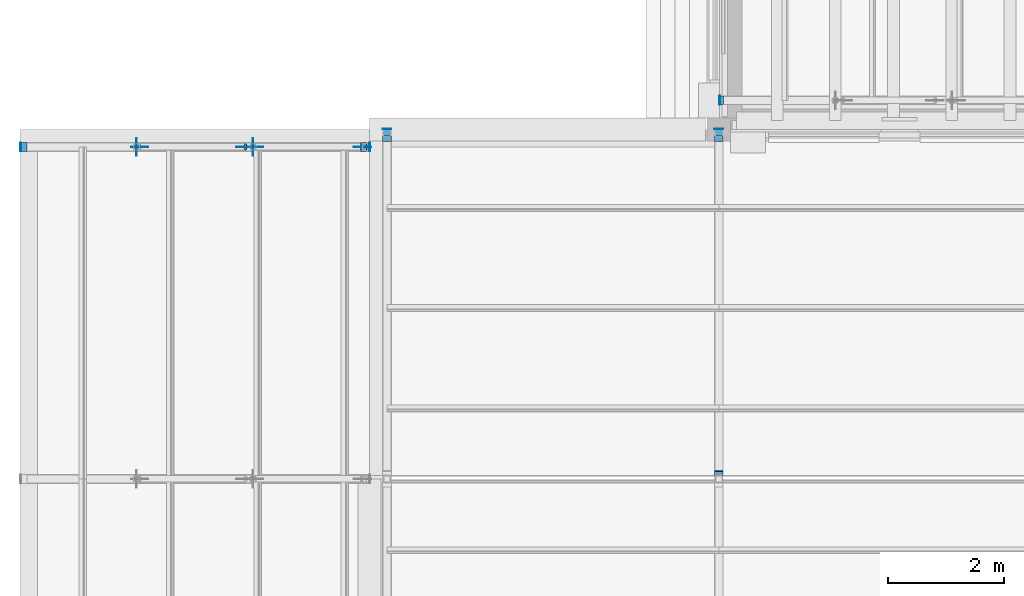
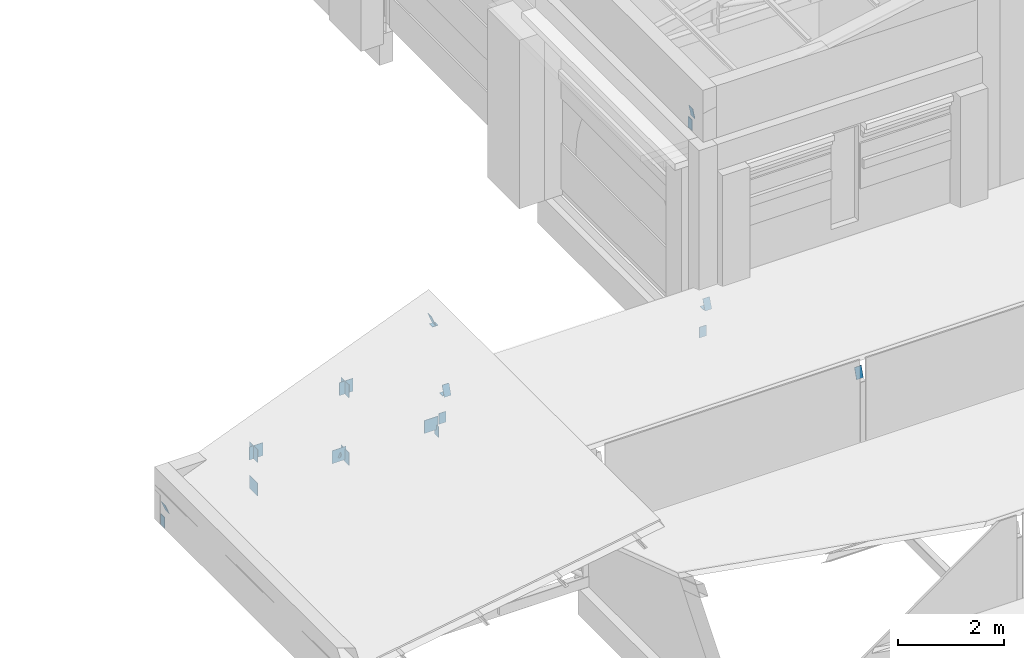
# One storey, part 83 of 118: 23 discrete accessories.
"""IFC4 building model written with IfcOpenShell, lengths in metres."""

import ifcopenshell
import ifcopenshell.guid

model = None  # the IFC model being written
_history = None  # IfcOwnerHistory: only IFC2X3 demands one
_inside = {}  # id of a spatial element -> (the spatial element, [elements in it])
_under = {}  # id of a project, library or spatial element -> (it, [spatial elements below it])
_declared = {}  # id of a project -> (the project, [libraries it declares])
_typed = {}  # id of a type object -> (the type object, [elements of that type])
_made_of = {}  # id of a material, layer set ... -> (it, [elements and type objects made of it])


def new_model(schema):
    """Start an empty IFC model of exactly this schema.

    Asked for "IFC4X3", IfcOpenShell would pick the latest addendum, in which some entities
    have other attributes; the version numbers below select the first issue.
    IFC2X3 requires an IfcOwnerHistory on every rooted entity: one is made here for all.
    """
    global model, _history
    if schema == "IFC4X3":
        model = ifcopenshell.file(schema_version=(4, 3, 0, 0))
    else:
        model = ifcopenshell.file(schema=schema)
    _inside.clear()
    _under.clear()
    _declared.clear()
    _typed.clear()
    _made_of.clear()
    _history = None
    if model.schema == "IFC2X3":
        org = make("IfcOrganization", Name="unknown")
        user = make(
            "IfcPersonAndOrganization",
            ThePerson=make("IfcPerson", FamilyName="unknown"),
            TheOrganization=org,
        )
        app = make(
            "IfcApplication",
            ApplicationDeveloper=org,
            Version="unknown",
            ApplicationFullName="unknown",
            ApplicationIdentifier="unknown",
        )
        _history = make(
            "IfcOwnerHistory",
            OwningUser=user,
            OwningApplication=app,
            ChangeAction="ADDED",
            CreationDate=0,
        )
    return model


def make(cls, **values):
    """One entity of the class cls with the attributes given. An attribute that is None is left unset."""
    return model.create_entity(
        cls, **{name: value for name, value in values.items() if value is not None}
    )


def rooted(cls, **values):
    """An entity with a GlobalId (a new one), such as an element, a storey or a relation."""
    return make(cls, GlobalId=ifcopenshell.guid.new(), OwnerHistory=_history, **values)


def si_unit(unit_type, name, prefix=None):
    """IfcSIUnit, for example si_unit("LENGTHUNIT", "METRE", prefix="MILLI")."""
    return make("IfcSIUnit", UnitType=unit_type, Prefix=prefix, Name=name)


def assignment(units):
    """IfcUnitAssignment: the units of a project."""
    return None if units is None else make("IfcUnitAssignment", Units=units)


def point(xyz):
    """IfcCartesianPoint."""
    return None if xyz is None else make("IfcCartesianPoint", Coordinates=xyz)


def direction(xyz):
    """IfcDirection."""
    return None if xyz is None else make("IfcDirection", DirectionRatios=xyz)


def frame(location, z_axis=None, x_axis=None):
    """IfcAxis2Placement3D, a coordinate frame: its origin and axes. An axis left out is left unset."""
    return make(
        "IfcAxis2Placement3D",
        Location=point(location),
        Axis=direction(z_axis),
        RefDirection=direction(x_axis),
    )


def frame_2d(location, x_axis=None):
    """IfcAxis2Placement2D, a coordinate frame in the plane: its origin and x axis."""
    return make(
        "IfcAxis2Placement2D", Location=point(location), RefDirection=direction(x_axis)
    )


def origin():
    """The frame at (0, 0, 0) with its axes left unset."""
    return frame((0.0, 0.0, 0.0))


def origin_2d():
    """The frame at (0, 0) in the plane with its x axis left unset."""
    return frame_2d((0.0, 0.0))


def place(relative_to, where):
    """IfcLocalPlacement: puts the frame where relative to a parent placement (None: the world)."""
    return make(
        "IfcLocalPlacement", PlacementRelTo=relative_to, RelativePlacement=where
    )


def context(
    kind, dimensions, precision=None, world=None, true_north=None, identifier=None
):
    """IfcGeometricRepresentationContext, for example the 3D "Model" context."""
    return make(
        "IfcGeometricRepresentationContext",
        ContextIdentifier=identifier,
        ContextType=kind,
        CoordinateSpaceDimension=dimensions,
        Precision=precision,
        WorldCoordinateSystem=world,
        TrueNorth=true_north,
    )


def subcontext(parent, identifier, kind, view, scale=None):
    """IfcGeometricRepresentationSubContext, for example "Body" below "Model"."""
    return make(
        "IfcGeometricRepresentationSubContext",
        ContextIdentifier=identifier,
        ContextType=kind,
        ParentContext=parent,
        TargetScale=scale,
        TargetView=view,
    )


def project(units=None, contexts=None):
    """IfcProject with its units and contexts."""
    return rooted(
        "IfcProject",
        Name="project",
        RepresentationContexts=contexts,
        UnitsInContext=assignment(units),
    )


def spatial(cls, under=None, at=None, **own):
    """A site, building, storey or space (cls), placed at a placement, below another one or the project."""
    s = rooted(cls, ObjectPlacement=at, **own)
    if under is not None:
        _under.setdefault(under.id(), (under, []))[1].append(s)
    return s


def profile(cls, at=None, kind="AREA", **sizes):
    """A parametric profile (cls). Its sizes go by their IFC names, for example OverallWidth=200.0."""
    return make(cls, ProfileType=kind, Position=at, **sizes)


def rectangle(**sizes):
    """IfcRectangleProfileDef."""
    return profile("IfcRectangleProfileDef", **sizes)


def circle(**sizes):
    """IfcCircleProfileDef."""
    return profile("IfcCircleProfileDef", **sizes)


def extrude(swept, where, along, depth):
    """IfcExtrudedAreaSolid: the profile swept, set in the frame where, extruded along a direction by depth."""
    return make(
        "IfcExtrudedAreaSolid",
        SweptArea=swept,
        Position=where,
        ExtrudedDirection=direction(along),
        Depth=depth,
    )


def shape(context_of_items, identifier, shape_type, items):
    """IfcShapeRepresentation: the items that make up one representation, for example the "Body"."""
    return make(
        "IfcShapeRepresentation",
        ContextOfItems=context_of_items,
        RepresentationIdentifier=identifier,
        RepresentationType=shape_type,
        Items=items,
    )


def material(Name=None, Category=None):
    """IfcMaterial."""
    return make("IfcMaterial", Name=Name, Category=Category)


def material_profile(
    of_material, cross_section, Name=None, Category=None, Priority=None
):
    """IfcMaterialProfile: a cross section and its material."""
    return make(
        "IfcMaterialProfile",
        Name=Name,
        Material=of_material,
        Profile=cross_section,
        Priority=Priority,
        Category=Category,
    )


def profile_set(profiles, Name=None, composite=None):
    """IfcMaterialProfileSet."""
    return make(
        "IfcMaterialProfileSet",
        Name=Name,
        MaterialProfiles=profiles,
        CompositeProfile=composite,
    )


def made_of(thing, what):
    """Note that an element or type object is made of a material, layer set ...; save() writes the relation."""
    if what is not None:
        _made_of.setdefault(what.id(), (what, []))[1].append(thing)
    return thing


def type_object(cls, material=None, **own):
    """A type object (cls), such as IfcWallType, which elements share."""
    return made_of(rooted(cls, **own), material)


def element(
    cls,
    number,
    at=None,
    inside=None,
    cuts=None,
    type_object=None,
    material=None,
    context=None,
    identifier="Body",
    shape_type=None,
    held_by="IfcProductDefinitionShape",
    body=None,
    shapes=None,
    **own,
):
    """One element of the class cls, such as IfcWall. Its Tag is "e" and its number.

    at: its placement. inside: the storey or other place that contains it. cuts: it is an
    opening in that element (IfcRelVoidsElement). A single representation is given by context,
    identifier, shape_type and body (its items); several are given by shapes. held_by: the class
    of the entity that holds the representations. save() writes the other relations.
    """
    e = rooted(cls, Tag="e%d" % number, ObjectPlacement=at, **own)
    if body is not None:
        shapes = [shape(context, identifier, shape_type, body)]
    if shapes is not None:
        e.Representation = make(held_by, Representations=shapes)
    if inside is not None:
        _inside.setdefault(inside.id(), (inside, []))[1].append(e)
    if cuts is not None:
        rooted(
            "IfcRelVoidsElement", RelatingBuildingElement=cuts, RelatedOpeningElement=e
        )
    if type_object is not None:
        _typed.setdefault(type_object.id(), (type_object, []))[1].append(e)
    return made_of(e, material)


def aggregate(whole, parts):
    """IfcRelAggregates: a whole, such as a stair, and the parts it consists of."""
    return rooted("IfcRelAggregates", RelatingObject=whole, RelatedObjects=parts)


def save(model, path):
    """Write the relations noted so far, then the file.

    IfcRelAggregates (storeys below a building ...), IfcRelContainedInSpatialStructure (elements
    in a storey), IfcRelDefinesByType, IfcRelAssociatesMaterial and IfcRelDeclares: one each for
    every whole, place, type object, material and project.
    """
    for whole, parts in _under.values():
        aggregate(whole, parts)
    for where, things in _inside.values():
        rooted(
            "IfcRelContainedInSpatialStructure",
            RelatedElements=things,
            RelatingStructure=where,
        )
    for kind, things in _typed.values():
        rooted("IfcRelDefinesByType", RelatedObjects=things, RelatingType=kind)
    for what, things in _made_of.values():
        rooted("IfcRelAssociatesMaterial", RelatedObjects=things, RelatingMaterial=what)
    for by, libraries in _declared.values():
        rooted("IfcRelDeclares", RelatingContext=by, RelatedDefinitions=libraries)
    model.write(path)


model = new_model("IFC4")

# Units and contexts
model_context = context("Model", 3, precision=1e-05, world=origin(), true_north=direction((0.0, 1.0)))
body_context = subcontext(model_context, "Body", "Model", "MODEL_VIEW")
ifc_project = project(units=[si_unit("LENGTHUNIT", "METRE"), si_unit("AREAUNIT", "SQUARE_METRE"), si_unit("VOLUMEUNIT", "CUBIC_METRE"), si_unit("PLANEANGLEUNIT", "RADIAN"), si_unit("MASSUNIT", "GRAM", prefix="KILO")], contexts=[model_context])

# Site, building, storey
site_placement = place(None, origin())
site = spatial("IfcSite", under=ifc_project, at=site_placement, CompositionType="ELEMENT")
building_placement = place(site_placement, origin())
building = spatial("IfcBuilding", under=site, at=building_placement, Name="Saffron Lane Theatres", CompositionType="ELEMENT")
storey_placement = place(building_placement, frame((0.0, 0.0, 16.5)))
storey = spatial("IfcBuildingStorey", under=building, at=storey_placement, Name="L03", CompositionType="ELEMENT", Elevation=16.5)

# Discrete accessories
ifc_material_1 = material(Name="Steel Grade 350", Category="steel")
ifc_material_profile_1 = material_profile(ifc_material_1, rectangle(XDim=0.300048828125, YDim=0.300048828125, at=origin_2d()))
ifc_profile_set_1 = profile_set([ifc_material_profile_1], Name="Steel Grade 350")
discrete_accessory_type_1 = type_object("IfcDiscreteAccessoryType", Name="ST-GUSSET CONNECTION PLATE", PredefinedType="BRACKET", material=ifc_profile_set_1)
for number, where, z_axis, x_axis, name in (
    (1, (1.9951171875, 29.699951171875, 0.25), (1.0, 0.0, 0.0), (0.0, 1.0, 0.0), "GB209"),
    (2, (1.9951171875, 29.699951171875, 1.022216796875), (1.0, 0.0, 0.0), (0.0, 1.0, 0.0), "GB210"),
    (3, (3.9951171875, 29.699951171875, 0.25), (1.0, 0.0, 0.0), (0.0, 1.0, 0.0), "GB211"),
    (4, (3.9951171875, 29.699951171875, 1.8173828125), (1.0, 0.0, 0.0), (0.0, 1.0, 0.0), "GB212"),
):
    element("IfcDiscreteAccessory", number, at=place(storey_placement, frame(where, z_axis=z_axis, x_axis=x_axis)), inside=storey, type_object=discrete_accessory_type_1, Name=name, PredefinedType="BRACKET", context=body_context, shape_type="SweptSolid", body=[
        extrude(rectangle(XDim=0.300048828125, YDim=0.300048828125, at=origin_2d()), origin(), (0.0, 0.0, 1.0), 0.009765625),
    ])
for number, where, z_axis, x_axis, name in (
    (5, (5.8837890625, 29.695068359375, 0.294189453125), (0.0, 1.0, 0.0), (-1.0, 0.0, 0.0), "GB213"),
    (6, (4.0244140625, 29.695068359375, 1.820068359375), (0.0, 1.0, 0.0), (-1.0, 0.0, 0.0), "GB214"),
    (7, (3.866455078125, 29.695068359375, 0.30322265625), (0.0, 1.0, 0.0), (-1.0, 0.0, 0.0), "GB215"),
    (8, (2.05615234375, 29.695068359375, 1.022705078125), (0.0, 1.0, 0.0), (-1.0, 0.0, 0.0), "GB216"),
):
    element("IfcDiscreteAccessory", number, at=place(storey_placement, frame(where, z_axis=z_axis, x_axis=x_axis)), inside=storey, type_object=discrete_accessory_type_1, Name=name, PredefinedType="BRACKET", context=body_context, shape_type="SweptSolid", body=[
        extrude(rectangle(XDim=0.300048828125, YDim=0.300048828125, at=origin_2d()), origin(), (0.0, 0.0, 1.0), 0.010009765625),
    ])
ifc_material_2 = material(Name="Steel Grade 350", Category="steel")
ifc_material_profile_2 = material_profile(ifc_material_2, circle(Radius=0.05712890625, at=origin_2d()))
ifc_profile_set_2 = profile_set([ifc_material_profile_2], Name="Steel Grade 350")
discrete_accessory_type_2 = type_object("IfcDiscreteAccessoryType", Name="ST-STEEL END CAP 114.3x6.0 CHS", PredefinedType="ANCHORPLATE", material=ifc_profile_set_2)
discrete_accessory_1_placement = place(storey_placement, frame((3.87744140625, 29.699951171875, 0.298583984375), z_axis=(-0.921249561411, 0.0, 0.38897203704), x_axis=(0.0, -1.0, 0.0)))
element("IfcDiscreteAccessory", 9, at=discrete_accessory_1_placement, inside=storey, type_object=discrete_accessory_type_2, Name="EC292", PredefinedType="ANCHORPLATE", context=body_context, shape_type="SweptSolid", body=[
    extrude(circle(Radius=0.05712890625, at=origin_2d()), origin(), (0.0, 0.0, 1.0), 0.011962890625),
])
ifc_material_3 = material(Name="Steel Grade 350", Category="steel")
ifc_material_profile_3 = material_profile(ifc_material_3, rectangle(XDim=0.125, YDim=0.125, at=origin_2d()))
ifc_profile_set_3 = profile_set([ifc_material_profile_3], Name="Steel Grade 350")
discrete_accessory_type_3 = type_object("IfcDiscreteAccessoryType", Name="ST-STEEL END CAP 125x125x6 SHS", PredefinedType="ANCHORPLATE", material=ifc_profile_set_3)
for number, where, z_axis, x_axis, name in (
    (10, (6.300048828125, 29.9375, 0.720703125), (0.0, 0.0, 1.0), (1.0, 0.0, 0.0), "EC212"),
    (11, (12.0, 29.9375, 0.720703125), (0.0, 0.0, 1.0), (1.0, 0.0, 0.0), "EC220"),
    (12, (5.9375, 29.699951171875, 2.58544921875), (0.0, 0.0, 1.0), (1.0, 0.0, 0.0), "EC291"),
):
    element("IfcDiscreteAccessory", number, at=place(storey_placement, frame(where, z_axis=z_axis, x_axis=x_axis)), inside=storey, type_object=discrete_accessory_type_3, Name=name, PredefinedType="ANCHORPLATE", context=body_context, shape_type="SweptSolid", body=[
        extrude(rectangle(XDim=0.125, YDim=0.125, at=origin_2d()), origin(), (0.0, 0.0, 1.0), 0.011962890625),
    ])
ifc_material_4 = material(Name="Steel Grade 350", Category="steel")
ifc_material_profile_4 = material_profile(ifc_material_4, rectangle(XDim=0.14990234375, YDim=0.25, at=origin_2d()))
ifc_profile_set_4 = profile_set([ifc_material_profile_4], Name="Steel Grade 350")
discrete_accessory_type_4 = type_object("IfcDiscreteAccessoryType", Name="ST-STEEL END CAP 250x150x9 RHS", PredefinedType="ANCHORPLATE", material=ifc_profile_set_4)
for number, where, z_axis, x_axis, name in (
    (13, (6.300048828125, 30.0, 0.125), (0.0, 1.0, 0.0), (-1.0, 0.0, 0.0), "EC207"),
    (14, (6.300048828125, 29.8359375, 0.865234375), (0.0, 0.944496796706, -0.328520624941), (-1.0, 0.0, 0.0), "EC214"),
    (15, (12.0, 30.0, 0.125), (0.0, 1.0, 0.0), (-1.0, 0.0, 0.0), "EC215"),
):
    element("IfcDiscreteAccessory", number, at=place(storey_placement, frame(where, z_axis=z_axis, x_axis=x_axis)), inside=storey, type_object=discrete_accessory_type_4, Name=name, PredefinedType="ANCHORPLATE", context=body_context, shape_type="SweptSolid", body=[
        extrude(rectangle(XDim=0.14990234375, YDim=0.25, at=origin_2d()), origin(), (0.0, 0.0, 1.0), 0.011962890625),
    ])
discrete_accessory_2_placement = place(storey_placement, frame((12.0, 24.09033203125, 2.76123046875), z_axis=(0.0, 0.950729839481, -0.310020599831), x_axis=(-1.0, 0.0, 0.0)))
element("IfcDiscreteAccessory", 16, at=discrete_accessory_2_placement, inside=storey, type_object=discrete_accessory_type_4, Name="EC221", PredefinedType="ANCHORPLATE", context=body_context, shape_type="SweptSolid", body=[
    extrude(rectangle(XDim=0.14990234375, YDim=0.25, at=origin_2d()), origin(), (0.0, 0.0, 1.0), 0.01171875),
])
for number, where, z_axis, x_axis, name in (
    (17, (12.0, 29.8359375, 0.865234375), (0.0, 0.944496796706, -0.328520624941), (-1.0, 0.0, 0.0), "EC222"),
    (18, (0.008056640625, 29.699951171875, 0.125), (1.0, 0.0, 0.0), (0.0, 1.0, 0.0), "EC287"),
    (19, (6.0, 29.699951171875, 0.125), (1.0, 0.0, 0.0), (0.0, 1.0, 0.0), "EC288"),
    (20, (0.06494140625, 29.699951171875, 0.410400390625), (0.931242779706, 0.0, 0.364399348581), (0.0, 1.0, 0.0), "EC289"),
    (21, (5.891357421875, 29.699951171875, 2.726318359375), (0.931242779706, 0.0, 0.364399348581), (0.0, 1.0, 0.0), "EC290"),
    (22, (12.008056640625, 30.5, 4.625), (1.0, 0.0, 0.0), (0.0, 1.0, 0.0), "EC451"),
    (23, (12.0419921875, 30.5, 4.885498046875), (0.982872186934, 0.0, 0.18428853505), (0.0, 1.0, 0.0), "EC453"),
):
    element("IfcDiscreteAccessory", number, at=place(storey_placement, frame(where, z_axis=z_axis, x_axis=x_axis)), inside=storey, type_object=discrete_accessory_type_4, Name=name, PredefinedType="ANCHORPLATE", context=body_context, shape_type="SweptSolid", body=[
        extrude(rectangle(XDim=0.14990234375, YDim=0.25, at=origin_2d()), origin(), (0.0, 0.0, 1.0), 0.011962890625),
    ])

save(model, "model.ifc")
